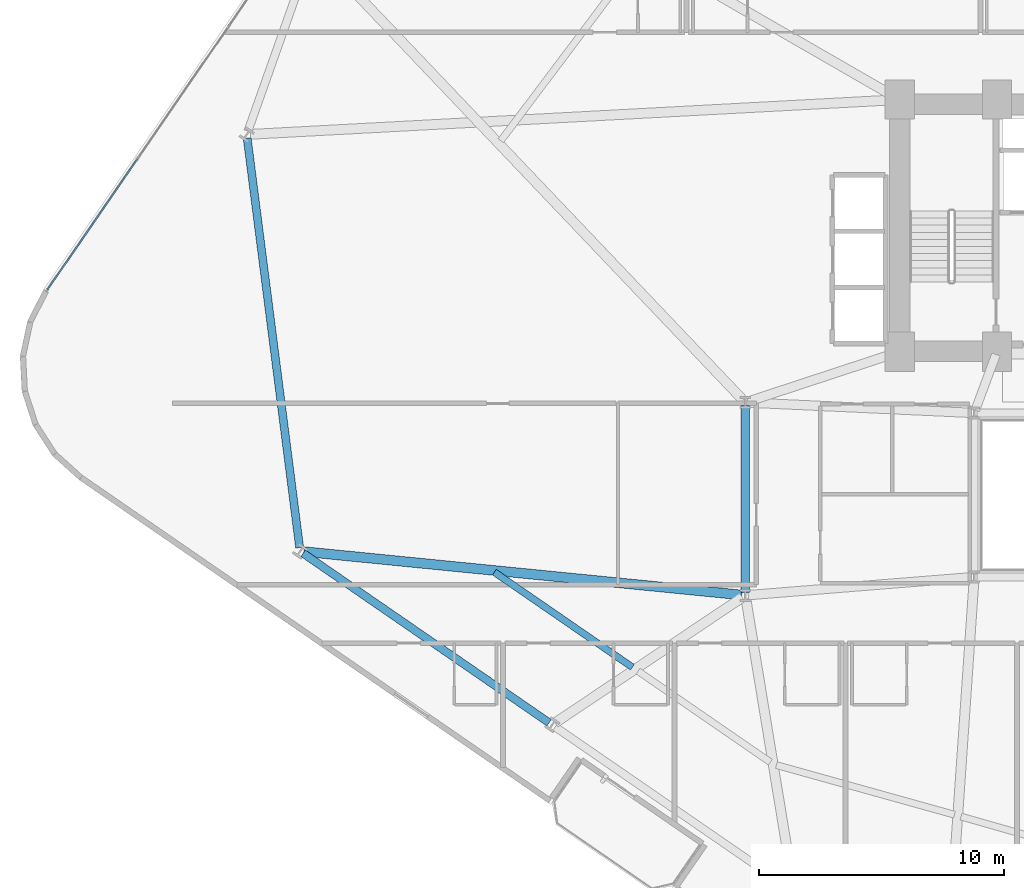
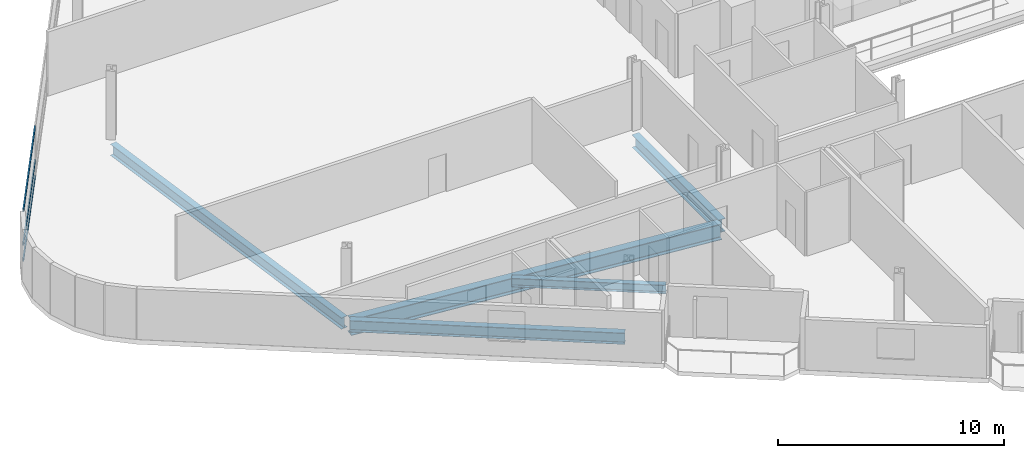
# One storey, part 3 of 25: 5 beams, 3 members, 1 element without a shape of its own.
"""IFC4 building model written with IfcOpenShell, lengths in metres."""

from ifc_helpers import new_model, si_unit, direction, frame, origin, origin_2d, place, context, subcontext, project, spatial, hollow_rectangle, i_section, extrude, material, layer, layer_set, material_profile, profile_set, type_object, element, aggregate, save


model = new_model("IFC4")

# Units and contexts
model_context = context("Model", 3, precision=1e-05, world=origin(), true_north=direction((0.0, 1.0)))
body_context = subcontext(model_context, "Body", "Model", "MODEL_VIEW")
ifc_project = project(units=[si_unit("LENGTHUNIT", "METRE"), si_unit("AREAUNIT", "SQUARE_METRE"), si_unit("VOLUMEUNIT", "CUBIC_METRE"), si_unit("PLANEANGLEUNIT", "RADIAN"), si_unit("MASSUNIT", "GRAM", prefix="KILO")], contexts=[model_context])

# Site, building, storey
site_placement = place(None, origin())
site = spatial("IfcSite", under=ifc_project, at=site_placement, CompositionType="ELEMENT")
building_placement = place(site_placement, origin())
building = spatial("IfcBuilding", under=site, at=building_placement, Name="Varnelok Gate Tower", CompositionType="ELEMENT")
storey_placement = place(building_placement, frame((0.0, 0.0, 49.199951171875)))
storey = spatial("IfcBuildingStorey", under=building, at=storey_placement, Name="L11", CompositionType="ELEMENT", Elevation=49.199951171875)

# Beams
ifc_material_1 = material(Name="Structural Steel ASTM A992 Grade 50", Category="steel")
ifc_material_profile_1 = material_profile(ifc_material_1, i_section(OverallWidth=0.280029296875, OverallDepth=0.462890625, WebThickness=0.0107421875, FlangeThickness=0.017333984375, FilletRadius=0.014892578125, at=origin_2d()), Name="W18X76")
ifc_profile_set_1 = profile_set([ifc_material_profile_1], Name="Structural Steel ASTM A992 Grade 50")
beam_type_1 = type_object("IfcBeamType", Name="BM-JST-W18X76", PredefinedType="JOIST", material=ifc_profile_set_1)
beam_1_placement = place(storey_placement, frame((14.149658203125, 19.748046875, -0.4814453125), z_axis=(0.823536853352, -0.567262770831, 0.0), x_axis=(0.567262770831, 0.823536853352, 0.0)))
element("IfcBeam", 1, at=beam_1_placement, inside=storey, type_object=beam_type_1, Name="L11 Sector Floor Joist 1", PredefinedType="JOIST", context=body_context, shape_type="SweptSolid", body=[
    extrude(i_section(OverallWidth=0.280029296875, OverallDepth=0.462890625, WebThickness=0.0107421875, FlangeThickness=0.017333984375, FilletRadius=0.014892578125, at=origin_2d()), origin(), (0.0, 0.0, 1.0), 6.8447265625),
])
ifc_material_profile_2 = material_profile(ifc_material_1, i_section(OverallWidth=0.35498046875, OverallDepth=0.696044921875, WebThickness=0.015380859375, FlangeThickness=0.02490234375, FilletRadius=0.02001953125, at=origin_2d()), Name="W27X146")
ifc_profile_set_2 = profile_set([ifc_material_profile_2], Name="Structural Steel ASTM A992 Grade 50")
beam_type_2 = type_object("IfcBeamType", Name="BM-PRI-W27X146", PredefinedType="BEAM", material=ifc_profile_set_2)
beam_2_placement = place(storey_placement, frame((24.39990234375, 18.919921875, -0.597900390625), z_axis=(0.0, 1.0, 0.0), x_axis=(-1.0, 0.0, 0.0)))
element("IfcBeam", 2, at=beam_2_placement, inside=storey, type_object=beam_type_2, Name="L11 Core-Atrium Spine Beam 16", PredefinedType="BEAM", context=body_context, shape_type="SweptSolid", body=[
    extrude(i_section(OverallWidth=0.35498046875, OverallDepth=0.696044921875, WebThickness=0.015380859375, FlangeThickness=0.02490234375, FilletRadius=0.02001953125, at=origin_2d()), origin(), (0.0, 0.0, 1.0), 7.64013671875),
])
ifc_material_profile_3 = material_profile(ifc_material_1, i_section(OverallWidth=0.39892578125, OverallDepth=0.85498046875, WebThickness=0.018310546875, FlangeThickness=0.029296875, FilletRadius=0.02392578125, at=origin_2d()), Name="W33X201")
ifc_profile_set_3 = profile_set([ifc_material_profile_3], Name="Structural Steel ASTM A992 Grade 50")
beam_type_3 = type_object("IfcBeamType", Name="BM-PRI-W33X201", PredefinedType="BEAM", material=ifc_profile_set_3)
beam_3_placement = place(storey_placement, frame((24.250732421875, 18.814697265625, -0.677490234375), z_axis=(-0.995122218733, 0.098649732815, 0.0), x_axis=(-0.098649732815, -0.995122218733, 0.0)))
element("IfcBeam", 3, at=beam_3_placement, inside=storey, type_object=beam_type_3, Name="L11 Radial Floor Girder 1", PredefinedType="BEAM", context=body_context, shape_type="SweptSolid", body=[
    extrude(i_section(OverallWidth=0.39892578125, OverallDepth=0.85498046875, WebThickness=0.018310546875, FlangeThickness=0.029296875, FilletRadius=0.02392578125, at=origin_2d()), origin(), (0.0, 0.0, 1.0), 17.974609375),
])
ifc_material_profile_4 = material_profile(ifc_material_1, i_section(OverallWidth=0.323974609375, OverallDepth=0.611083984375, WebThickness=0.0126953125, FlangeThickness=0.01904296875, FilletRadius=0.01806640625, at=origin_2d()), Name="W24X104")
ifc_profile_set_4 = profile_set([ifc_material_profile_4], Name="Structural Steel ASTM A992 Grade 50")
beam_type_4 = type_object("IfcBeamType", Name="BM-SPN-W24X104", PredefinedType="SPANDREL", material=ifc_profile_set_4)
beam_4_placement = place(storey_placement, frame((6.337890625, 20.517578125, -0.555419921875), z_axis=(0.823540632156, -0.567257284826, 0.0), x_axis=(0.567257284826, 0.823540632156, 0.0)))
element("IfcBeam", 4, at=beam_4_placement, inside=storey, type_object=beam_type_4, Name="L11 Perimeter Spandrel Beam 1", PredefinedType="SPANDREL", context=body_context, shape_type="SweptSolid", body=[
    extrude(i_section(OverallWidth=0.323974609375, OverallDepth=0.611083984375, WebThickness=0.0126953125, FlangeThickness=0.01904296875, FilletRadius=0.01806640625, at=origin_2d()), origin(), (0.0, 0.0, 1.0), 12.2001953125),
])
beam_5_placement = place(storey_placement, frame((4.05224609375, 37.47509765625, -0.555419921875), z_axis=(0.127106601297, -0.991889062298, 0.0), x_axis=(0.991889062298, 0.127106601297, 0.0)))
element("IfcBeam", 5, at=beam_5_placement, inside=storey, type_object=beam_type_4, Name="L11 Perimeter Spandrel Beam 16", PredefinedType="SPANDREL", context=body_context, shape_type="SweptSolid", body=[
    extrude(i_section(OverallWidth=0.323974609375, OverallDepth=0.611083984375, WebThickness=0.0126953125, FlangeThickness=0.01904296875, FilletRadius=0.01806640625, at=origin_2d()), origin(), (0.0, 0.0, 1.0), 16.8603515625),
])

# Curtain wall, members
ifc_material_2 = material(Name="Anodized Aluminum Alloy 6063-T6", Category="aluminium")
ifc_layer = layer(ifc_material_2, 0.179931640625)
ifc_layer_set = layer_set([ifc_layer], Name="Anodized Aluminum Alloy 6063-T6")
curtain_wall_type = type_object("IfcCurtainWallType", Name="CW3-HOTEL-VISION", PredefinedType="USERDEFINED", material=ifc_layer_set)
curtain_wall_placement = place(storey_placement, origin())
curtain_wall = element("IfcCurtainWall", 6, at=curtain_wall_placement, inside=storey, type_object=curtain_wall_type, Name="L11 West End Vision Curtain Wall", ObjectType="UNITISED CURTAIN WALL", PredefinedType="USERDEFINED")
ifc_material_profile_5 = material_profile(ifc_material_2, hollow_rectangle(XDim=0.06494140625, YDim=0.159912109375, WallThickness=0.00390625, at=origin_2d()), Name="ALU160X65X4")
ifc_profile_set_5 = profile_set([ifc_material_profile_5], Name="Anodized Aluminum Alloy 6063-T6")
member_type = type_object("IfcMemberType", Name="CW-TRAN-160", PredefinedType="USERDEFINED", material=ifc_profile_set_5)
member_1_placement = place(storey_placement, frame((-4.10546875, 31.287353515625, 0.032470703125), z_axis=(0.567255754851, 0.823541686006, 0.0), x_axis=(-0.823541686006, 0.567255754851, 0.0)))
member_1 = element("IfcMember", 7, at=member_1_placement, type_object=member_type, Name="CW3 transom 1.1", ObjectType="TRANSOM", PredefinedType="USERDEFINED", context=body_context, shape_type="SweptSolid", body=[
    extrude(hollow_rectangle(XDim=0.06494140625, YDim=0.159912109375, WallThickness=0.00390625, at=origin_2d()), origin(), (0.0, 0.0, 1.0), 6.46923828125),
])
member_2_placement = place(storey_placement, frame((-4.10546875, 31.287353515625, 0.900146484375), z_axis=(0.567255754851, 0.823541686006, 0.0), x_axis=(-0.823541686006, 0.567255754851, 0.0)))
member_2 = element("IfcMember", 8, at=member_2_placement, type_object=member_type, Name="CW3 transom 1.2", ObjectType="TRANSOM", PredefinedType="USERDEFINED", context=body_context, shape_type="SweptSolid", body=[
    extrude(hollow_rectangle(XDim=0.06494140625, YDim=0.159912109375, WallThickness=0.00390625, at=origin_2d()), origin(), (0.0, 0.0, 1.0), 6.46923828125),
])
member_3_placement = place(storey_placement, frame((-4.10546875, 31.287353515625, 2.697509765625), z_axis=(0.567255754851, 0.823541686006, 0.0), x_axis=(-0.823541686006, 0.567255754851, 0.0)))
member_3 = element("IfcMember", 9, at=member_3_placement, type_object=member_type, Name="CW3 transom 1.3", ObjectType="TRANSOM", PredefinedType="USERDEFINED", context=body_context, shape_type="SweptSolid", body=[
    extrude(hollow_rectangle(XDim=0.06494140625, YDim=0.159912109375, WallThickness=0.00390625, at=origin_2d()), origin(), (0.0, 0.0, 1.0), 6.46923828125),
])
aggregate(curtain_wall, [member_1, member_2, member_3])

save(model, "model.ifc")
